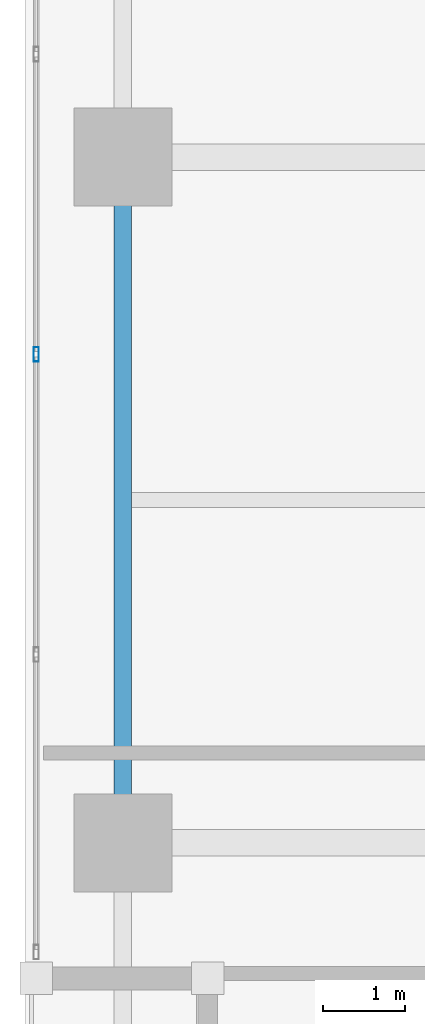
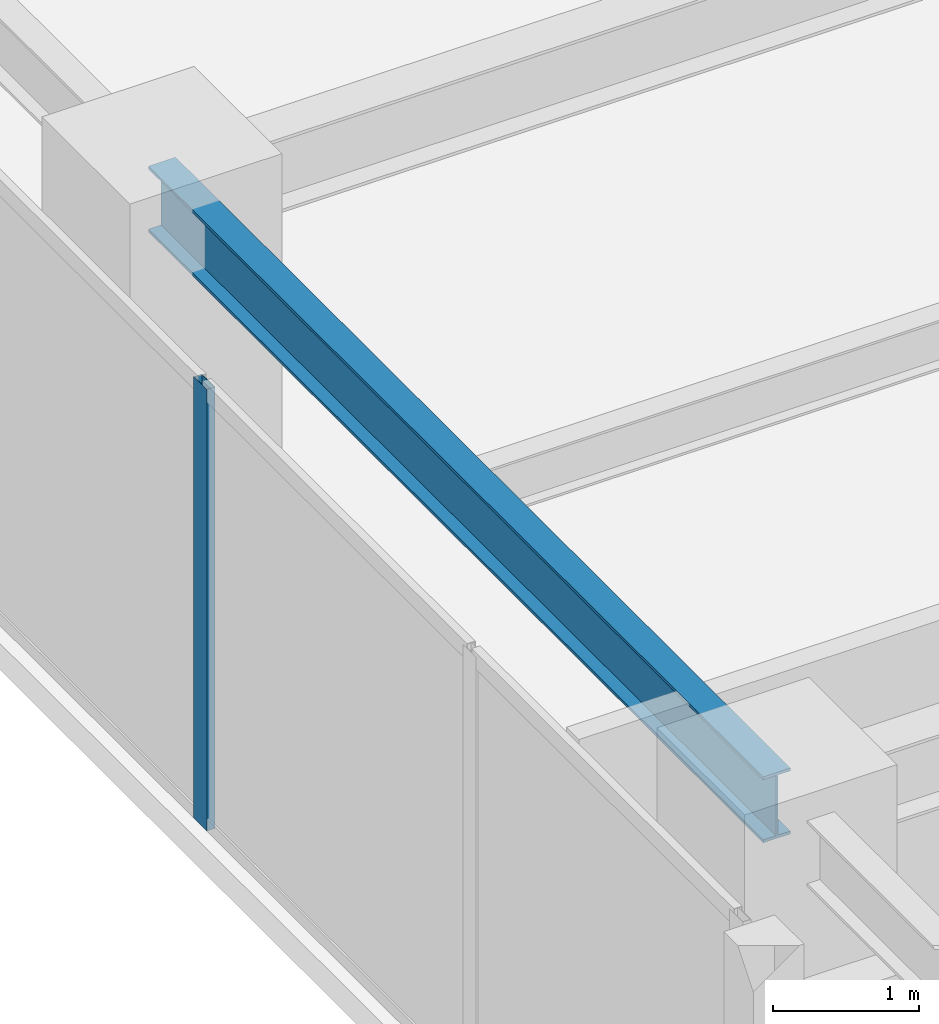
# One storey, part 5 of 30: 1 beam, 1 member, 1 element without a shape of its own.
"""IFC4 building model written with IfcOpenShell, lengths in metres."""

from ifc_helpers import new_model, si_unit, direction, frame, origin, origin_2d, place, context, subcontext, project, spatial, hollow_rectangle, i_section, extrude, material, layer, layer_set, material_profile, profile_set, type_object, element, aggregate, save


model = new_model("IFC4")

# Units and contexts
model_context = context("Model", 3, precision=1e-05, world=origin(), true_north=direction((0.0, 1.0)))
body_context = subcontext(model_context, "Body", "Model", "MODEL_VIEW")
ifc_project = project(units=[si_unit("LENGTHUNIT", "METRE"), si_unit("AREAUNIT", "SQUARE_METRE"), si_unit("VOLUMEUNIT", "CUBIC_METRE"), si_unit("PLANEANGLEUNIT", "RADIAN"), si_unit("MASSUNIT", "GRAM", prefix="KILO")], contexts=[model_context])

# Site, building, storey
site_placement = place(None, origin())
site = spatial("IfcSite", under=ifc_project, at=site_placement, CompositionType="ELEMENT")
building_placement = place(site_placement, origin())
building = spatial("IfcBuilding", under=site, at=building_placement, Name="Kiyonajd Concourse Tower", CompositionType="ELEMENT")
storey_placement = place(building_placement, frame((0.0, 0.0, 174.0)))
storey = spatial("IfcBuildingStorey", under=building, at=storey_placement, Name="L44", CompositionType="ELEMENT", Elevation=174.0)

# Beam
ifc_material_1 = material(Name="Steel ASTM A992 Grade 50", Category="steel")
ifc_material_profile_1 = material_profile(ifc_material_1, i_section(OverallWidth=0.214111328125, OverallDepth=0.549072265625, WebThickness=0.0146484375, FlangeThickness=0.023681640625, at=origin_2d()), Name="W530X138")
ifc_profile_set_1 = profile_set([ifc_material_profile_1], Name="Steel ASTM A992 Grade 50")
beam_type = type_object("IfcBeamType", Name="BM-SPAN-530A", PredefinedType="SPANDREL", material=ifc_profile_set_1)
beam_placement = place(storey_placement, frame((19.199951171875, 44.39990234375, 3.405517578125), z_axis=(0.0, -1.0, 0.0), x_axis=(1.0, 0.0, 0.0)))
element("IfcBeam", 1, at=beam_placement, inside=storey, type_object=beam_type, Name="L44 Perimeter Bundled Tube Spandrel", PredefinedType="SPANDREL", context=body_context, shape_type="SweptSolid", body=[
    extrude(i_section(OverallWidth=0.214111328125, OverallDepth=0.549072265625, WebThickness=0.0146484375, FlangeThickness=0.023681640625, at=origin_2d()), origin(), (0.0, 0.0, 1.0), 8.39990234375),
])

# Curtain wall, member
ifc_material_2 = material(Name="Thermally Broken Anodised Aluminium", Category="aluminium")
ifc_layer = layer(ifc_material_2, 0.179931640625)
ifc_layer_set = layer_set([ifc_layer], Name="Thermally Broken Anodised Aluminium")
curtain_wall_type = type_object("IfcCurtainWallType", Name="CW-SYS-03", PredefinedType="NOTDEFINED", material=ifc_layer_set)
curtain_wall_placement = place(storey_placement, origin())
curtain_wall = element("IfcCurtainWall", 2, at=curtain_wall_placement, inside=storey, type_object=curtain_wall_type, Name="L44 Unitised Curtain Wall CW3", PredefinedType="NOTDEFINED")
ifc_material_profile_2 = material_profile(ifc_material_2, hollow_rectangle(XDim=0.06494140625, YDim=0.179931640625, WallThickness=0.00390625, at=origin_2d()), Name="MULL-65x180")
ifc_profile_set_2 = profile_set([ifc_material_profile_2], Name="Thermally Broken Anodised Aluminium")
member_type = type_object("IfcMemberType", Name="MB-CW-MULL1", PredefinedType="MULLION", material=ifc_profile_set_2)
member_placement = place(storey_placement, frame((18.139892578125, 41.98388671875, 0.0), z_axis=(0.0, 0.0, 1.0), x_axis=(-1.0, 0.0, 0.0)))
member = element("IfcMember", 3, at=member_placement, type_object=member_type, Name="CW3 mullion 3", PredefinedType="MULLION", context=body_context, shape_type="SweptSolid", body=[
    extrude(hollow_rectangle(XDim=0.06494140625, YDim=0.179931640625, WallThickness=0.00390625, at=origin_2d()), origin(), (0.0, 0.0, 1.0), 3.679931640625),
])
aggregate(curtain_wall, [member])

save(model, "model.ifc")
